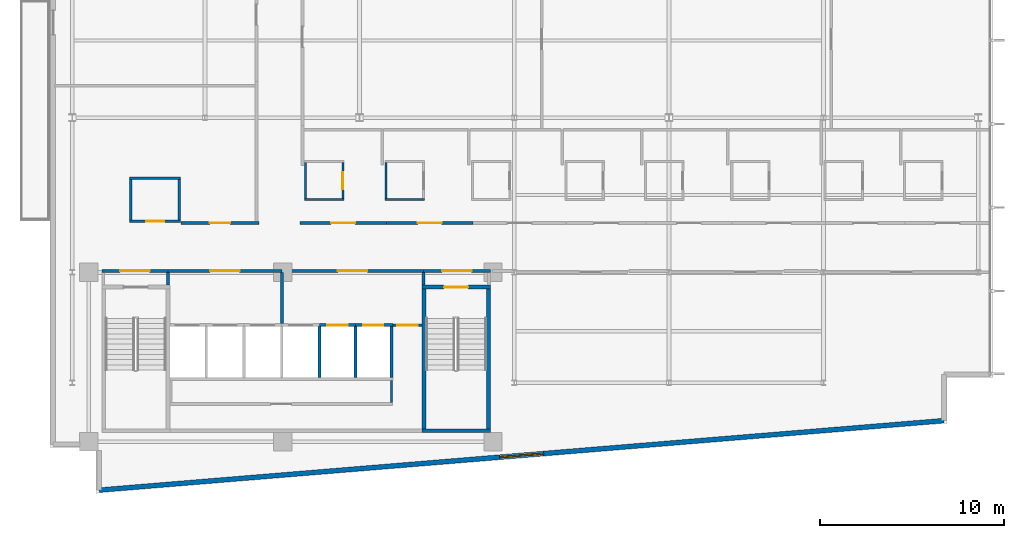
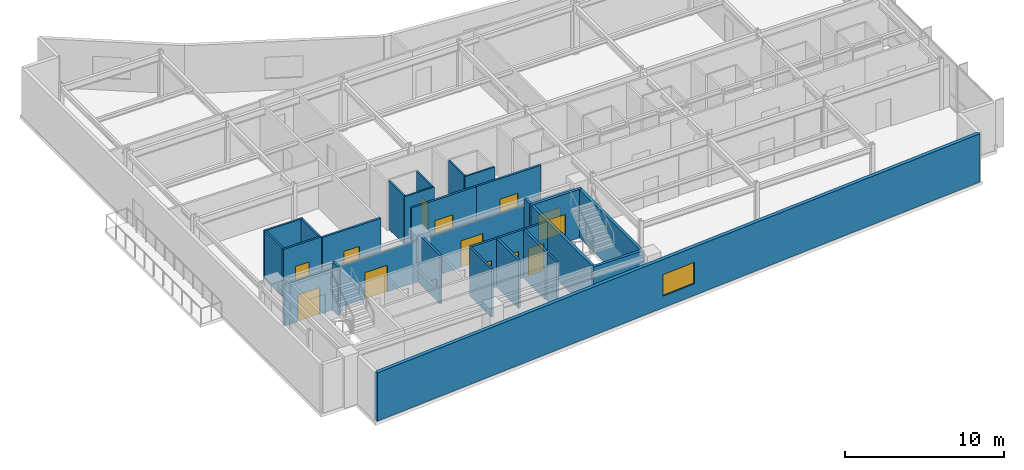
# One storey, part 11 of 17: 31 walls, 13 doors, 1 window, 14 openings.
"""IFC4 building model written with IfcOpenShell, lengths in metres."""

from ifc_helpers import new_model, si_unit, direction, frame, frame_2d, origin, place, context, subcontext, project, spatial, rectangle, extrude, material, layer, layer_set, type_object, element, fill, save


model = new_model("IFC4")

# Units and contexts
model_context = context("Model", 3, precision=1e-05, world=origin(), true_north=direction((0.0, 1.0)))
body_context = subcontext(model_context, "Body", "Model", "MODEL_VIEW")
ifc_project = project(units=[si_unit("LENGTHUNIT", "METRE"), si_unit("AREAUNIT", "SQUARE_METRE"), si_unit("VOLUMEUNIT", "CUBIC_METRE"), si_unit("PLANEANGLEUNIT", "RADIAN"), si_unit("MASSUNIT", "GRAM", prefix="KILO")], contexts=[model_context])

# Site, building, storey
site_placement = place(None, origin())
site = spatial("IfcSite", under=ifc_project, at=site_placement, CompositionType="ELEMENT")
building_placement = place(site_placement, origin())
building = spatial("IfcBuilding", under=site, at=building_placement, Name="Varnakote Quay Hospital", CompositionType="ELEMENT")
storey_placement = place(building_placement, frame((0.0, 0.0, 227.64990234375)))
storey = spatial("IfcBuildingStorey", under=building, at=storey_placement, Name="L56", CompositionType="ELEMENT", Elevation=227.64990234375)

# Wall, opening, door
ifc_material_1 = material(Name="Fire-rated acoustic gypsum stud wall", Category="gypsum")
ifc_layer_1 = layer(ifc_material_1, 0.159912109375)
ifc_layer_set_1 = layer_set([ifc_layer_1], Name="Fire-rated acoustic gypsum stud wall")
wall_type_1 = type_object("IfcWallType", Name="WL-COMP-160", PredefinedType="PARTITIONING", material=ifc_layer_set_1)
wall_1_placement = place(storey_placement, frame((2.800048828125, 12.080078125, 0.0), z_axis=(0.0, 0.0, 1.0), x_axis=(1.0, 0.0, 0.0)))
wall_1 = element("IfcWall", 1, at=wall_1_placement, inside=storey, type_object=wall_type_1, Name="L56 West Stair Vestibule Smoke Wall", PredefinedType="PARTITIONING", context=body_context, shape_type="SweptSolid", body=[
    extrude(rectangle(XDim=3.599853515625, YDim=0.159912109375, at=frame_2d((1.7998046875, 0.0))), origin(), (0.0, 0.0, 1.0), 3.152099609375),
])
opening_1_placement = place(wall_1_placement, frame((1.0, 0.0, 0.0)))
opening_1 = element("IfcOpeningElement", 2, at=opening_1_placement, cuts=wall_1, Name="Opening D-ST1L-L56", PredefinedType="OPENING", context=body_context, shape_type="SweptSolid", body=[
    extrude(rectangle(XDim=1.60009765625, YDim=2.050048828125, at=frame_2d((0.800048828125, 1.02490234375))), frame((0.0, 0.08984375, 0.0), z_axis=(0.0, -1.0, 0.0), x_axis=(1.0, 0.0, 0.0)), (0.0, 0.0, 1.0), 0.179931640625),
])
ifc_material_2 = material(Name="Fire-rated double smoke lobby door")
door_type_1 = type_object("IfcDoorType", Name="DR-LOBBY-FD60S-1600x2150", OperationType="NOTDEFINED", PredefinedType="DOOR", material=ifc_material_2)
door_1_placement = place(opening_1_placement, origin())
door_1 = element("IfcDoor", 3, at=door_1_placement, inside=storey, type_object=door_type_1, Name="L56 West Stair Vestibule Smoke Door", OperationType="DOUBLE_DOOR_SINGLE_SWING", OverallHeight=2.050048828125, OverallWidth=1.60009765625, PredefinedType="DOOR", context=body_context, shape_type="SweptSolid", body=[
    extrude(rectangle(XDim=1.60009765625, YDim=2.050048828125, at=frame_2d((0.800048828125, 1.02490234375))), frame((0.0, 0.02490234375, 0.0), z_axis=(0.0, -1.0, 0.0), x_axis=(1.0, 0.0, 0.0)), (0.0, 0.0, 1.0), 0.050048828125),
])
fill(opening_1, door_1)

# Wall
wall_2_placement = place(storey_placement, frame((6.39990234375, 11.300048828125, 0.0), z_axis=(0.0, 0.0, 1.0), x_axis=(0.0, 1.0, 0.0)))
element("IfcWall", 4, at=wall_2_placement, inside=storey, type_object=wall_type_1, Name="L56 Firefighting Lobby West Wall", PredefinedType="PARTITIONING", context=body_context, shape_type="SweptSolid", body=[
    extrude(rectangle(XDim=0.699951171875, YDim=0.159912109375, at=frame_2d((0.35009765625, 0.0))), origin(), (0.0, 0.0, 1.0), 3.710205078125),
])

# Wall, opening, door
wall_3_placement = place(storey_placement, frame((6.39990234375, 12.080078125, 0.0), z_axis=(0.0, 0.0, 1.0), x_axis=(1.0, 0.0, 0.0)))
wall_3 = element("IfcWall", 5, at=wall_3_placement, inside=storey, type_object=wall_type_1, Name="L56 Firefighting Lift Lobby Compartment Wall", PredefinedType="PARTITIONING", context=body_context, shape_type="SweptSolid", body=[
    extrude(rectangle(XDim=6.18017578125, YDim=0.159912109375, at=frame_2d((3.090087890625, 0.0))), origin(), (0.0, 0.0, 1.0), 3.152099609375),
])
opening_2_placement = place(wall_3_placement, frame((2.2900390625, 0.0, 0.0)))
opening_2 = element("IfcOpeningElement", 6, at=opening_2_placement, cuts=wall_3, Name="Opening D-FFL-L56", PredefinedType="OPENING", context=body_context, shape_type="SweptSolid", body=[
    extrude(rectangle(XDim=1.60009765625, YDim=2.050048828125, at=frame_2d((0.800048828125, 1.02490234375))), frame((0.0, 0.08984375, 0.0), z_axis=(0.0, -1.0, 0.0), x_axis=(1.0, 0.0, 0.0)), (0.0, 0.0, 1.0), 0.179931640625),
])
door_2_placement = place(opening_2_placement, origin())
door_2 = element("IfcDoor", 7, at=door_2_placement, inside=storey, type_object=door_type_1, Name="L56 Firefighting Smoke Vestibule Door", OperationType="DOUBLE_DOOR_SINGLE_SWING", OverallHeight=2.050048828125, OverallWidth=1.60009765625, PredefinedType="DOOR", context=body_context, shape_type="SweptSolid", body=[
    extrude(rectangle(XDim=1.60009765625, YDim=2.050048828125, at=frame_2d((0.800048828125, 1.02490234375))), frame((0.0, 0.02490234375, 0.0), z_axis=(0.0, -1.0, 0.0), x_axis=(1.0, 0.0, 0.0)), (0.0, 0.0, 1.0), 0.050048828125),
])
fill(opening_2, door_2)

# Wall
wall_4_placement = place(storey_placement, frame((12.580078125, 9.2099609375, 0.0), z_axis=(0.0, 0.0, 1.0), x_axis=(0.0, 1.0, 0.0)))
element("IfcWall", 8, at=wall_4_placement, inside=storey, type_object=wall_type_1, Name="L56 Firefighting to Service Lobby Wall", PredefinedType="PARTITIONING", context=body_context, shape_type="SweptSolid", body=[
    extrude(rectangle(XDim=2.7900390625, YDim=0.159912109375, at=frame_2d((1.39501953125, 0.0))), origin(), (0.0, 0.0, 1.0), 3.710205078125),
])

# Wall, opening, door
wall_5_placement = place(storey_placement, frame((12.580078125, 12.080078125, 0.0), z_axis=(0.0, 0.0, 1.0), x_axis=(1.0, 0.0, 0.0)))
wall_5 = element("IfcWall", 9, at=wall_5_placement, inside=storey, type_object=wall_type_1, Name="L56 Clinical Bed Lift Lobby Wall", PredefinedType="PARTITIONING", context=body_context, shape_type="SweptSolid", body=[
    extrude(rectangle(XDim=7.699951171875, YDim=0.159912109375, at=frame_2d((3.85009765625, 0.0))), origin(), (0.0, 0.0, 1.0), 3.152099609375),
])
opening_3_placement = place(wall_5_placement, frame((3.050048828125, 0.0, 0.0)))
opening_3 = element("IfcOpeningElement", 10, at=opening_3_placement, cuts=wall_5, Name="Opening D-SVL-L56", PredefinedType="OPENING", context=body_context, shape_type="SweptSolid", body=[
    extrude(rectangle(XDim=1.60009765625, YDim=2.050048828125, at=frame_2d((0.800048828125, 1.02490234375))), frame((0.0, 0.08984375, 0.0), z_axis=(0.0, -1.0, 0.0), x_axis=(1.0, 0.0, 0.0)), (0.0, 0.0, 1.0), 0.179931640625),
])
door_3_placement = place(opening_3_placement, origin())
door_3 = element("IfcDoor", 11, at=door_3_placement, inside=storey, type_object=door_type_1, Name="L56 Clinical Core Smoke Vestibule Door", OperationType="DOUBLE_DOOR_SINGLE_SWING", OverallHeight=2.050048828125, OverallWidth=1.60009765625, PredefinedType="DOOR", context=body_context, shape_type="SweptSolid", body=[
    extrude(rectangle(XDim=1.60009765625, YDim=2.050048828125, at=frame_2d((0.800048828125, 1.02490234375))), frame((0.0, 0.02490234375, 0.0), z_axis=(0.0, -1.0, 0.0), x_axis=(1.0, 0.0, 0.0)), (0.0, 0.0, 1.0), 0.050048828125),
])
fill(opening_3, door_3)

# Wall
wall_6_placement = place(storey_placement, frame((20.280029296875, 11.300048828125, 0.0), z_axis=(0.0, 0.0, 1.0), x_axis=(0.0, 1.0, 0.0)))
element("IfcWall", 12, at=wall_6_placement, inside=storey, type_object=wall_type_1, Name="L56 East Stair Vestibule Divider Wall", PredefinedType="PARTITIONING", context=body_context, shape_type="SweptSolid", body=[
    extrude(rectangle(XDim=0.699951171875, YDim=0.159912109375, at=frame_2d((0.35009765625, 0.0))), origin(), (0.0, 0.0, 1.0), 3.710205078125),
])

# Wall, opening, door
wall_7_placement = place(storey_placement, frame((20.280029296875, 12.080078125, 0.0), z_axis=(0.0, 0.0, 1.0), x_axis=(1.0, 0.0, 0.0)))
wall_7 = element("IfcWall", 13, at=wall_7_placement, inside=storey, type_object=wall_type_1, Name="L56 East Stair Vestibule Smoke Wall", PredefinedType="PARTITIONING", context=body_context, shape_type="SweptSolid", body=[
    extrude(rectangle(XDim=3.619873046875, YDim=0.159912109375, at=frame_2d((1.81005859375, 0.0))), origin(), (0.0, 0.0, 1.0), 3.152099609375),
])
opening_4_placement = place(wall_7_placement, frame((1.010009765625, 0.0, 0.0)))
opening_4 = element("IfcOpeningElement", 14, at=opening_4_placement, cuts=wall_7, Name="Opening D-ST2L-L56", PredefinedType="OPENING", context=body_context, shape_type="SweptSolid", body=[
    extrude(rectangle(XDim=1.60009765625, YDim=2.050048828125, at=frame_2d((0.800048828125, 1.02490234375))), frame((0.0, 0.08984375, 0.0), z_axis=(0.0, -1.0, 0.0), x_axis=(1.0, 0.0, 0.0)), (0.0, 0.0, 1.0), 0.179931640625),
])
door_4_placement = place(opening_4_placement, origin())
door_4 = element("IfcDoor", 15, at=door_4_placement, inside=storey, type_object=door_type_1, Name="L56 East Stair Vestibule Smoke Door", OperationType="DOUBLE_DOOR_SINGLE_SWING", OverallHeight=2.050048828125, OverallWidth=1.60009765625, PredefinedType="DOOR", context=body_context, shape_type="SweptSolid", body=[
    extrude(rectangle(XDim=1.60009765625, YDim=2.050048828125, at=frame_2d((0.800048828125, 1.02490234375))), frame((0.0, 0.02490234375, 0.0), z_axis=(0.0, -1.0, 0.0), x_axis=(1.0, 0.0, 0.0)), (0.0, 0.0, 1.0), 0.050048828125),
])
fill(opening_4, door_4)

# Walls
ifc_material_3 = material(Name="Moisture-resistant bathroom partition", Category="gypsum")
ifc_layer_2 = layer(ifc_material_3, 0.114990234375)
ifc_layer_set_2 = layer_set([ifc_layer_2], Name="Moisture-resistant bathroom partition")
wall_type_2 = type_object("IfcWallType", Name="WL-ENS-115", PredefinedType="PARTITIONING", material=ifc_layer_set_2)
wall_8_placement = place(storey_placement, frame((13.804931640625, 15.952392578125, 0.0), z_axis=(0.0, 0.0, 1.0), x_axis=(1.0, 0.0, 0.0)))
element("IfcWall", 16, at=wall_8_placement, inside=storey, type_object=wall_type_2, Name="L56 Inpatient En-Suite Bathroom 01 S Wall", PredefinedType="PARTITIONING", context=body_context, shape_type="SweptSolid", body=[
    extrude(rectangle(XDim=2.150146484375, YDim=0.114990234375, at=frame_2d((1.0751953125, 0.0))), origin(), (0.0, 0.0, 1.0), 3.710205078125),
])
wall_9_placement = place(storey_placement, frame((13.862548828125, 16.010009765625, 0.0), z_axis=(0.0, 0.0, 1.0), x_axis=(0.0, 1.0, 0.0)))
element("IfcWall", 17, at=wall_9_placement, inside=storey, type_object=wall_type_2, Name="L56 Inpatient En-Suite Bathroom 01 W Wall", PredefinedType="PARTITIONING", context=body_context, shape_type="SweptSolid", body=[
    extrude(rectangle(XDim=1.949951171875, YDim=0.114990234375, at=frame_2d((0.97509765625, 0.0))), origin(), (0.0, 0.0, 1.0), 3.710205078125),
])

# Wall, opening, door
wall_10_placement = place(storey_placement, frame((15.8974609375, 16.010009765625, 0.0), z_axis=(0.0, 0.0, 1.0), x_axis=(0.0, 1.0, 0.0)))
wall_10 = element("IfcWall", 18, at=wall_10_placement, inside=storey, type_object=wall_type_2, Name="L56 Inpatient En-Suite Bathroom 01 E Wall", PredefinedType="PARTITIONING", context=body_context, shape_type="SweptSolid", body=[
    extrude(rectangle(XDim=1.949951171875, YDim=0.114990234375, at=frame_2d((0.97509765625, 0.0))), origin(), (0.0, 0.0, 1.0), 3.710205078125),
])
opening_5_placement = place(wall_10_placement, frame((0.514892578125, 0.0, 0.0)))
opening_5 = element("IfcOpeningElement", 19, at=opening_5_placement, cuts=wall_10, Name="Opening D-L56-ENS01", PredefinedType="OPENING", context=body_context, shape_type="SweptSolid", body=[
    extrude(rectangle(XDim=0.919921875, YDim=2.10009765625, at=frame_2d((0.4599609375, 1.050048828125))), frame((0.0, 0.0673828125, 0.0), z_axis=(0.0, -1.0, 0.0), x_axis=(1.0, 0.0, 0.0)), (0.0, 0.0, 1.0), 0.135009765625),
])
ifc_material_4 = material(Name="Moisture-sealed en-suite bathroom door")
door_type_2 = type_object("IfcDoorType", Name="DR-ENS-920x2100", OperationType="NOTDEFINED", PredefinedType="DOOR", material=ifc_material_4)
door_5_placement = place(opening_5_placement, origin())
door_5 = element("IfcDoor", 20, at=door_5_placement, inside=storey, type_object=door_type_2, Name="L56 Inpatient En-Suite Bathroom 01 Door", OperationType="SINGLE_SWING_LEFT", OverallHeight=2.10009765625, OverallWidth=0.919921875, PredefinedType="DOOR", context=body_context, shape_type="SweptSolid", body=[
    extrude(rectangle(XDim=0.919921875, YDim=2.10009765625, at=frame_2d((0.4599609375, 1.050048828125))), frame((0.0, 0.02490234375, 0.0), z_axis=(0.0, -1.0, 0.0), x_axis=(1.0, 0.0, 0.0)), (0.0, 0.0, 1.0), 0.050048828125),
])
fill(opening_5, door_5)

# Walls
wall_11_placement = place(storey_placement, frame((18.18505859375, 15.952392578125, 0.0), z_axis=(0.0, 0.0, 1.0), x_axis=(1.0, 0.0, 0.0)))
element("IfcWall", 21, at=wall_11_placement, inside=storey, type_object=wall_type_2, Name="L56 Inpatient En-Suite Bathroom 02 S Wall", PredefinedType="PARTITIONING", context=body_context, shape_type="SweptSolid", body=[
    extrude(rectangle(XDim=2.14990234375, YDim=0.114990234375, at=frame_2d((1.074951171875, 0.0))), origin(), (0.0, 0.0, 1.0), 3.710205078125),
])
wall_12_placement = place(storey_placement, frame((18.242431640625, 16.010009765625, 0.0), z_axis=(0.0, 0.0, 1.0), x_axis=(0.0, 1.0, 0.0)))
element("IfcWall", 22, at=wall_12_placement, inside=storey, type_object=wall_type_2, Name="L56 Inpatient En-Suite Bathroom 02 W Wall", PredefinedType="PARTITIONING", context=body_context, shape_type="SweptSolid", body=[
    extrude(rectangle(XDim=1.949951171875, YDim=0.114990234375, at=frame_2d((0.97509765625, 0.0))), origin(), (0.0, 0.0, 1.0), 3.710205078125),
])

# Wall, opening, window
ifc_material_5 = material(Name="Precast concrete N50 (f'c 50 MPa)", Category="concrete")
ifc_layer_3 = layer(ifc_material_5, 0.260009765625)
ifc_layer_set_3 = layer_set([ifc_layer_3], Name="Precast concrete N50 (f'c 50 MPa)")
wall_type_3 = type_object("IfcWallType", Name="WL-EXT-BRICK-260", PredefinedType="STANDARD", material=ifc_layer_set_3)
wall_13_placement = place(storey_placement, frame((2.659912109375, 0.173583984375, 0.0), z_axis=(0.0, 0.0, 1.0), x_axis=(0.996634028439, 0.081979347142, 0.0)))
wall_13 = element("IfcWall", 23, at=wall_13_placement, inside=storey, type_object=wall_type_3, Name="L56 Brick-Faced Precast Exterior Wall", PredefinedType="STANDARD", context=body_context, shape_type="SweptSolid", body=[
    extrude(rectangle(XDim=46.03515625, YDim=0.260009765625, at=frame_2d((23.017578125, 0.0))), origin(), (0.0, 0.0, 1.0), 3.710205078125),
])
opening_6_placement = place(wall_13_placement, frame((21.8173828125, 0.0, 0.89990234375)))
opening_6 = element("IfcOpeningElement", 24, at=opening_6_placement, cuts=wall_13, Name="Opening WN-0230", PredefinedType="OPENING", context=body_context, shape_type="SweptSolid", body=[
    extrude(rectangle(XDim=2.39990234375, YDim=1.64990234375, at=frame_2d((1.199951171875, 0.824951171875))), frame((0.0, 0.139892578125, 0.0), z_axis=(0.0, -1.0, 0.0), x_axis=(1.0, 0.0, 0.0)), (0.0, 0.0, 1.0), 0.280029296875),
])
ifc_material_6 = material(Name="Double-glazed low-E solar glass", Category="glass")
window_type = type_object("IfcWindowType", Name="WIN-CLIN-2400x1650", PartitioningType="SINGLE_PANEL", PredefinedType="WINDOW", material=ifc_material_6)
window_placement = place(opening_6_placement, origin())
window = element("IfcWindow", 25, at=window_placement, inside=storey, type_object=window_type, Name="L56 Solar-Control Clinical Window", OverallHeight=1.64990234375, OverallWidth=2.39990234375, PartitioningType="SINGLE_PANEL", PredefinedType="WINDOW", context=body_context, shape_type="SweptSolid", body=[
    extrude(rectangle(XDim=2.39990234375, YDim=1.64990234375, at=frame_2d((1.199951171875, 0.824951171875))), frame((0.0, 0.030029296875, 0.0), z_axis=(0.0, -1.0, 0.0), x_axis=(1.0, 0.0, 0.0)), (0.0, 0.0, 1.0), 0.06005859375),
])
fill(opening_6, window)

# Walls
ifc_material_7 = material(Name="Concrete N50 (f'c 50 MPa)", Category="concrete")
ifc_layer_4 = layer(ifc_material_7, 0.14990234375)
ifc_layer_set_4 = layer_set([ifc_layer_4], Name="Concrete N50 (f'c 50 MPa)")
wall_type_4 = type_object("IfcWallType", Name="WL-SHAFT-N50-150", PredefinedType="SHEAR", material=ifc_layer_set_4)
for number, where, z_axis, x_axis, name in (
    (26, (14.625, 6.300048828125, 0.0), (0.0, 0.0, 1.0), (0.0, 1.0, 0.0), "L56 LF-SV2 Hoistway Divider Wall"),
    (27, (16.574951171875, 6.300048828125, 0.0), (0.0, 0.0, 1.0), (0.0, 1.0, 0.0), "L56 LF-PH1 Hoistway Divider Wall"),
):
    element("IfcWall", number, at=place(storey_placement, frame(where, z_axis=z_axis, x_axis=x_axis)), inside=storey, type_object=wall_type_4, Name=name, PredefinedType="SHEAR", context=body_context, shape_type="SweptSolid", body=[
        extrude(rectangle(XDim=2.75, YDim=0.14990234375, at=frame_2d((1.375, 0.0))), origin(), (0.0, 0.0, 1.0), 3.710205078125),
    ])
ifc_material_8 = material(Name="Concrete N50 (f'c 50 MPa)", Category="concrete")
ifc_layer_5 = layer(ifc_material_8, 0.159912109375)
ifc_layer_set_5 = layer_set([ifc_layer_5], Name="Concrete N50 (f'c 50 MPa)")
wall_type_5 = type_object("IfcWallType", Name="WL-SHAFT-N50-160", PredefinedType="SHEAR", material=ifc_layer_set_5)
wall_14_placement = place(storey_placement, frame((18.530029296875, 6.300048828125, 0.0), z_axis=(0.0, 0.0, 1.0), x_axis=(0.0, 1.0, 0.0)))
element("IfcWall", 28, at=wall_14_placement, inside=storey, type_object=wall_type_5, Name="L56 REAR Lift Bank East Shear Wall", PredefinedType="SHEAR", context=body_context, shape_type="SweptSolid", body=[
    extrude(rectangle(XDim=2.75, YDim=0.159912109375, at=frame_2d((1.375, 0.0))), origin(), (0.0, 0.0, 1.0), 3.710205078125),
])

# Wall, opening, door
wall_15_placement = place(storey_placement, frame((14.625, 9.1298828125, 0.0), z_axis=(0.0, 0.0, 1.0), x_axis=(1.0, 0.0, 0.0)))
wall_15 = element("IfcWall", 29, at=wall_15_placement, inside=storey, type_object=wall_type_5, Name="L56 LF-PH1 Hoistway Front Wall", PredefinedType="SHEAR", context=body_context, shape_type="SweptSolid", body=[
    extrude(rectangle(XDim=1.949951171875, YDim=0.159912109375, at=frame_2d((0.97509765625, 0.0))), origin(), (0.0, 0.0, 1.0), 3.710205078125),
])
opening_7_placement = place(wall_15_placement, frame((0.425048828125, 0.0, 0.0)))
opening_7 = element("IfcOpeningElement", 30, at=opening_7_placement, cuts=wall_15, Name="Opening LD-PH1-L56", PredefinedType="OPENING", context=body_context, shape_type="SweptSolid", body=[
    extrude(rectangle(XDim=1.10009765625, YDim=2.14990234375, at=frame_2d((0.550048828125, 1.074951171875))), frame((0.0, 0.08984375, 0.0), z_axis=(0.0, -1.0, 0.0), x_axis=(1.0, 0.0, 0.0)), (0.0, 0.0, 1.0), 0.179931640625),
])
ifc_material_9 = material(Name="Brushed bronze lift landing sliding door")
door_type_3 = type_object("IfcDoorType", Name="DR-LIFT-LD-1100x2150", OperationType="NOTDEFINED", PredefinedType="DOOR", material=ifc_material_9)
door_6_placement = place(opening_7_placement, origin())
door_6 = element("IfcDoor", 31, at=door_6_placement, inside=storey, type_object=door_type_3, Name="L56 LF-PH1 Lift Landing Sliding Door", OperationType="SLIDING_TO_LEFT", OverallHeight=2.14990234375, OverallWidth=1.10009765625, PredefinedType="DOOR", context=body_context, shape_type="SweptSolid", body=[
    extrude(rectangle(XDim=1.10009765625, YDim=2.14990234375, at=frame_2d((0.550048828125, 1.074951171875))), frame((0.0, 0.02490234375, 0.0), z_axis=(0.0, -1.0, 0.0), x_axis=(1.0, 0.0, 0.0)), (0.0, 0.0, 1.0), 0.050048828125),
])
fill(opening_7, door_6)

wall_16_placement = place(storey_placement, frame((16.574951171875, 9.1298828125, 0.0), z_axis=(0.0, 0.0, 1.0), x_axis=(1.0, 0.0, 0.0)))
wall_16 = element("IfcWall", 32, at=wall_16_placement, inside=storey, type_object=wall_type_5, Name="L56 LF-PH2 Hoistway Front Wall", PredefinedType="SHEAR", context=body_context, shape_type="SweptSolid", body=[
    extrude(rectangle(XDim=2.03515625, YDim=0.159912109375, at=frame_2d((1.017578125, 0.0))), origin(), (0.0, 0.0, 1.0), 3.710205078125),
])
opening_8_placement = place(wall_16_placement, frame((0.425048828125, 0.0, 0.0)))
opening_8 = element("IfcOpeningElement", 33, at=opening_8_placement, cuts=wall_16, Name="Opening LD-PH2-L56", PredefinedType="OPENING", context=body_context, shape_type="SweptSolid", body=[
    extrude(rectangle(XDim=1.10009765625, YDim=2.14990234375, at=frame_2d((0.550048828125, 1.074951171875))), frame((0.0, 0.08984375, 0.0), z_axis=(0.0, -1.0, 0.0), x_axis=(1.0, 0.0, 0.0)), (0.0, 0.0, 1.0), 0.179931640625),
])
door_7_placement = place(opening_8_placement, origin())
door_7 = element("IfcDoor", 34, at=door_7_placement, inside=storey, type_object=door_type_3, Name="L56 LF-PH2 Lift Landing Sliding Door", OperationType="SLIDING_TO_LEFT", OverallHeight=2.14990234375, OverallWidth=1.10009765625, PredefinedType="DOOR", context=body_context, shape_type="SweptSolid", body=[
    extrude(rectangle(XDim=1.10009765625, YDim=2.14990234375, at=frame_2d((0.550048828125, 1.074951171875))), frame((0.0, 0.02490234375, 0.0), z_axis=(0.0, -1.0, 0.0), x_axis=(1.0, 0.0, 0.0)), (0.0, 0.0, 1.0), 0.050048828125),
])
fill(opening_8, door_7)

# Walls
ifc_material_10 = material(Name="Concrete N50 (f'c 50 MPa)", Category="concrete")
ifc_layer_6 = layer(ifc_material_10, 0.199951171875)
ifc_layer_set_6 = layer_set([ifc_layer_6], Name="Concrete N50 (f'c 50 MPa)")
wall_type_6 = type_object("IfcWallType", Name="WL-SHAFT-N50-200", PredefinedType="SHEAR", material=ifc_layer_set_6)
wall_17_placement = place(storey_placement, frame((20.199951171875, 3.39990234375, 0.0), z_axis=(0.0, 0.0, 1.0), x_axis=(1.0, 0.0, 0.0)))
element("IfcWall", 35, at=wall_17_placement, inside=storey, type_object=wall_type_6, Name="L56 Stair ST2 South Shaft Wall", PredefinedType="SHEAR", context=body_context, shape_type="SweptSolid", body=[
    extrude(rectangle(XDim=3.699951171875, YDim=0.199951171875, at=frame_2d((1.85009765625, 0.0))), origin(), (0.0, 0.0, 1.0), 3.710205078125),
])
for number, where, z_axis, x_axis, name in (
    (36, (20.300048828125, 3.5, 0.0), (0.0, 0.0, 1.0), (0.0, 1.0, 0.0), "L56 Stair ST2 West Shaft Wall"),
    (37, (23.800048828125, 3.5, 0.0), (0.0, 0.0, 1.0), (0.0, 1.0, 0.0), "L56 Stair ST2 East Shaft Wall"),
):
    element("IfcWall", number, at=place(storey_placement, frame(where, z_axis=z_axis, x_axis=x_axis)), inside=storey, type_object=wall_type_6, Name=name, PredefinedType="SHEAR", context=body_context, shape_type="SweptSolid", body=[
        extrude(rectangle(XDim=7.60009765625, YDim=0.199951171875, at=frame_2d((3.800048828125, 0.0))), origin(), (0.0, 0.0, 1.0), 3.710205078125),
    ])

# Wall, opening, door
wall_18_placement = place(storey_placement, frame((20.199951171875, 11.199951171875, 0.0), z_axis=(0.0, 0.0, 1.0), x_axis=(1.0, 0.0, 0.0)))
wall_18 = element("IfcWall", 38, at=wall_18_placement, inside=storey, type_object=wall_type_6, Name="L56 Stair ST2 Exit Wall", PredefinedType="SHEAR", context=body_context, shape_type="SweptSolid", body=[
    extrude(rectangle(XDim=3.699951171875, YDim=0.199951171875, at=frame_2d((1.85009765625, 0.0))), origin(), (0.0, 0.0, 1.0), 3.710205078125),
])
opening_9_placement = place(wall_18_placement, frame((1.199951171875, 0.0, 0.0)))
opening_9 = element("IfcOpeningElement", 39, at=opening_9_placement, cuts=wall_18, Name="Opening D-ST2-L56", PredefinedType="OPENING", context=body_context, shape_type="SweptSolid", body=[
    extrude(rectangle(XDim=1.300048828125, YDim=2.14990234375, at=frame_2d((0.64990234375, 1.074951171875))), frame((0.0, 0.10986328125, 0.0), z_axis=(0.0, -1.0, 0.0), x_axis=(1.0, 0.0, 0.0)), (0.0, 0.0, 1.0), 0.219970703125),
])
ifc_material_11 = material(Name="Fire-rated ceramic-glazed timber exit door", Category="wood")
door_type_4 = type_object("IfcDoorType", Name="DR-STAIR-FD60S-1300x2150", OperationType="NOTDEFINED", PredefinedType="DOOR", material=ifc_material_11)
door_8_placement = place(opening_9_placement, origin())
door_8 = element("IfcDoor", 40, at=door_8_placement, inside=storey, type_object=door_type_4, Name="L56 Stair ST2 Fire Exit Door", OperationType="SINGLE_SWING_LEFT", OverallHeight=2.14990234375, OverallWidth=1.300048828125, PredefinedType="DOOR", context=body_context, shape_type="SweptSolid", body=[
    extrude(rectangle(XDim=1.300048828125, YDim=2.14990234375, at=frame_2d((0.64990234375, 1.074951171875))), frame((0.0, 0.02490234375, 0.0), z_axis=(0.0, -1.0, 0.0), x_axis=(1.0, 0.0, 0.0)), (0.0, 0.0, 1.0), 0.050048828125),
])
fill(opening_9, door_8)

# Wall
ifc_material_12 = material(Name="Smoke-proof clinical partition", Category="gypsum")
ifc_layer_7 = layer(ifc_material_12, 0.1201171875)
ifc_layer_set_7 = layer_set([ifc_layer_7], Name="Smoke-proof clinical partition")
wall_type_7 = type_object("IfcWallType", Name="WL-SMOKE-120", PredefinedType="PARTITIONING", material=ifc_layer_set_7)
wall_19_placement = place(storey_placement, frame((18.5400390625, 4.919921875, 0.0), z_axis=(0.0, 0.0, 1.0), x_axis=(0.0, 1.0, 0.0)))
element("IfcWall", 41, at=wall_19_placement, inside=storey, type_object=wall_type_7, Name="L56 Core Service Strip East Wall", PredefinedType="PARTITIONING", context=body_context, shape_type="SweptSolid", body=[
    extrude(rectangle(XDim=1.219970703125, YDim=0.1201171875, at=frame_2d((0.60986328125, 0.0))), origin(), (0.0, 0.0, 1.0), 3.710205078125),
])

# Wall, opening, door
ifc_material_13 = material(Name="Fire-rated clinical gypsum partition", Category="gypsum")
ifc_layer_8 = layer(ifc_material_13, 0.139892578125)
ifc_layer_set_8 = layer_set([ifc_layer_8], Name="Fire-rated clinical gypsum partition")
wall_type_8 = type_object("IfcWallType", Name="WL-WARD-140", PredefinedType="PARTITIONING", material=ifc_layer_set_8)
wall_20_placement = place(storey_placement, frame((18.610107421875, 9.1298828125, 0.0), z_axis=(0.0, 0.0, 1.0), x_axis=(1.0, 0.0, 0.0)))
wall_20 = element("IfcWall", 42, at=wall_20_placement, inside=storey, type_object=wall_type_8, Name="L56 Core Service Corridor North Door Wall", PredefinedType="PARTITIONING", context=body_context, shape_type="SweptSolid", body=[
    extrude(rectangle(XDim=1.58984375, YDim=0.139892578125, at=frame_2d((0.794921875, 0.0))), origin(), (0.0, 0.0, 1.0), 3.710205078125),
])
opening_10_placement = place(wall_20_placement, frame((0.239990234375, 0.0, 0.0)))
opening_10 = element("IfcOpeningElement", 43, at=opening_10_placement, cuts=wall_20, Name="Opening D-CSRV-L56", PredefinedType="OPENING", context=body_context, shape_type="SweptSolid", body=[
    extrude(rectangle(XDim=1.10009765625, YDim=2.10009765625, at=frame_2d((0.550048828125, 1.050048828125))), frame((0.0, 0.079833984375, 0.0), z_axis=(0.0, -1.0, 0.0), x_axis=(1.0, 0.0, 0.0)), (0.0, 0.0, 1.0), 0.159912109375),
])
ifc_material_14 = material(Name="Acoustic timber clinical consult door", Category="wood")
door_type_5 = type_object("IfcDoorType", Name="DR-CLIN-FD30S-1100x2100", OperationType="NOTDEFINED", PredefinedType="DOOR", material=ifc_material_14)
door_9_placement = place(opening_10_placement, origin())
door_9 = element("IfcDoor", 44, at=door_9_placement, inside=storey, type_object=door_type_5, Name="L56 Core Service Corridor Door", OperationType="SINGLE_SWING_LEFT", OverallHeight=2.10009765625, OverallWidth=1.10009765625, PredefinedType="DOOR", context=body_context, shape_type="SweptSolid", body=[
    extrude(rectangle(XDim=1.10009765625, YDim=2.10009765625, at=frame_2d((0.550048828125, 1.050048828125))), frame((0.0, 0.02490234375, 0.0), z_axis=(0.0, -1.0, 0.0), x_axis=(1.0, 0.0, 0.0)), (0.0, 0.0, 1.0), 0.050048828125),
])
fill(opening_10, door_9)

wall_21_placement = place(storey_placement, frame((4.31005859375, 14.77001953125, 0.0), z_axis=(0.0, 0.0, 1.0), x_axis=(1.0, 0.0, 0.0)))
wall_21 = element("IfcWall", 45, at=wall_21_placement, inside=storey, type_object=wall_type_8, Name="L56 Floor Unisex Accessible WC S Wall", PredefinedType="PARTITIONING", context=body_context, shape_type="SweptSolid", body=[
    extrude(rectangle(XDim=2.780029296875, YDim=0.139892578125, at=frame_2d((1.39013671875, 0.0))), origin(), (0.0, 0.0, 1.0), 3.710205078125),
])
opening_11_placement = place(wall_21_placement, frame((0.89990234375, 0.0, 0.0)))
opening_11 = element("IfcOpeningElement", 46, at=opening_11_placement, cuts=wall_21, Name="Opening D-L56-EW01", PredefinedType="OPENING", context=body_context, shape_type="SweptSolid", body=[
    extrude(rectangle(XDim=0.97998046875, YDim=2.10009765625, at=frame_2d((0.489990234375, 1.050048828125))), frame((0.0, 0.079833984375, 0.0), z_axis=(0.0, -1.0, 0.0), x_axis=(1.0, 0.0, 0.0)), (0.0, 0.0, 1.0), 0.159912109375),
])
ifc_material_15 = material(Name="Accessible sanitary compartment door")
door_type_6 = type_object("IfcDoorType", Name="DR-WC-980x2100", OperationType="NOTDEFINED", PredefinedType="DOOR", material=ifc_material_15)
door_10_placement = place(opening_11_placement, origin())
door_10 = element("IfcDoor", 47, at=door_10_placement, inside=storey, type_object=door_type_6, Name="L56 Floor Unisex Accessible WC Door", OperationType="SINGLE_SWING_RIGHT", OverallHeight=2.10009765625, OverallWidth=0.97998046875, PredefinedType="DOOR", context=body_context, shape_type="SweptSolid", body=[
    extrude(rectangle(XDim=0.97998046875, YDim=2.10009765625, at=frame_2d((0.489990234375, 1.050048828125))), frame((0.0, 0.02490234375, 0.0), z_axis=(0.0, -1.0, 0.0), x_axis=(1.0, 0.0, 0.0)), (0.0, 0.0, 1.0), 0.050048828125),
])
fill(opening_11, door_10)

# Walls
wall_22_placement = place(storey_placement, frame((4.31005859375, 17.110107421875, 0.0), z_axis=(0.0, 0.0, 1.0), x_axis=(1.0, 0.0, 0.0)))
element("IfcWall", 48, at=wall_22_placement, inside=storey, type_object=wall_type_8, Name="L56 Floor Unisex Accessible WC N Wall", PredefinedType="PARTITIONING", context=body_context, shape_type="SweptSolid", body=[
    extrude(rectangle(XDim=2.780029296875, YDim=0.139892578125, at=frame_2d((1.39013671875, 0.0))), origin(), (0.0, 0.0, 1.0), 3.710205078125),
])
for number, where, z_axis, x_axis, name in (
    (49, (4.3798828125, 14.840087890625, 0.0), (0.0, 0.0, 1.0), (0.0, 1.0, 0.0), "L56 Floor Unisex Accessible WC W Wall"),
    (50, (7.02001953125, 14.840087890625, 0.0), (0.0, 0.0, 1.0), (0.0, 1.0, 0.0), "L56 Floor Unisex Accessible WC E Wall"),
):
    element("IfcWall", number, at=place(storey_placement, frame(where, z_axis=z_axis, x_axis=x_axis)), inside=storey, type_object=wall_type_8, Name=name, PredefinedType="PARTITIONING", context=body_context, shape_type="SweptSolid", body=[
        extrude(rectangle(XDim=2.199951171875, YDim=0.139892578125, at=frame_2d((1.10009765625, 0.0))), origin(), (0.0, 0.0, 1.0), 3.710205078125),
    ])

# Wall, opening, door
ifc_material_16 = material(Name="Fire-rated clinical gypsum partition", Category="gypsum")
ifc_layer_9 = layer(ifc_material_16, 0.14990234375)
ifc_layer_set_9 = layer_set([ifc_layer_9], Name="Fire-rated clinical gypsum partition")
wall_type_9 = type_object("IfcWallType", Name="WL-WARD-150", PredefinedType="PARTITIONING", material=ifc_layer_set_9)
wall_23_placement = place(storey_placement, frame((11.345947265625, 14.679931640625, 0.0), z_axis=(0.0, 0.0, 1.0), x_axis=(-1.0, 0.0, 0.0)))
wall_23 = element("IfcWall", 51, at=wall_23_placement, inside=storey, type_object=wall_type_9, Name="L56 Clinical Interior Partition", PredefinedType="PARTITIONING", context=body_context, shape_type="SweptSolid", body=[
    extrude(rectangle(XDim=4.25390625, YDim=0.14990234375, at=frame_2d((2.126953125, 0.0))), origin(), (0.0, 0.0, 1.0), 3.710205078125),
])
opening_12_placement = place(wall_23_placement, frame((1.576904296875, 0.0, 0.0)))
opening_12 = element("IfcOpeningElement", 52, at=opening_12_placement, cuts=wall_23, Name="Opening D-L56-DLNG", PredefinedType="OPENING", context=body_context, shape_type="SweptSolid", body=[
    extrude(rectangle(XDim=1.10009765625, YDim=2.10009765625, at=frame_2d((0.550048828125, 1.050048828125))), frame((0.0, 0.0849609375, 0.0), z_axis=(0.0, -1.0, 0.0), x_axis=(1.0, 0.0, 0.0)), (0.0, 0.0, 1.0), 0.169921875),
])
door_11_placement = place(opening_12_placement, origin())
door_11 = element("IfcDoor", 53, at=door_11_placement, inside=storey, type_object=door_type_5, Name="L56 Waterfront Patient & Family Dayroom Door", OperationType="SINGLE_SWING_RIGHT", OverallHeight=2.10009765625, OverallWidth=1.10009765625, PredefinedType="DOOR", context=body_context, shape_type="SweptSolid", body=[
    extrude(rectangle(XDim=1.10009765625, YDim=2.10009765625, at=frame_2d((0.550048828125, 1.050048828125))), frame((0.0, 0.02490234375, 0.0), z_axis=(0.0, -1.0, 0.0), x_axis=(1.0, 0.0, 0.0)), (0.0, 0.0, 1.0), 0.050048828125),
])
fill(opening_12, door_11)

wall_24_placement = place(storey_placement, frame((18.26611328125, 14.679931640625, 0.0), z_axis=(0.0, 0.0, 1.0), x_axis=(-1.0, 0.0, 0.0)))
wall_24 = element("IfcWall", 54, at=wall_24_placement, inside=storey, type_object=wall_type_9, Name="L56 Clinical Interior Partition", PredefinedType="PARTITIONING", context=body_context, shape_type="SweptSolid", body=[
    extrude(rectangle(XDim=4.712158203125, YDim=0.14990234375, at=frame_2d((2.35595703125, 0.0))), origin(), (0.0, 0.0, 1.0), 3.710205078125),
])
opening_13_placement = place(wall_24_placement, frame((1.7060546875, 0.0, 0.0)))
opening_13 = element("IfcOpeningElement", 55, at=opening_13_placement, cuts=wall_24, Name="Opening D-L56-BR01", PredefinedType="OPENING", context=body_context, shape_type="SweptSolid", body=[
    extrude(rectangle(XDim=1.300048828125, YDim=2.14990234375, at=frame_2d((0.64990234375, 1.074951171875))), frame((0.0, 0.0849609375, 0.0), z_axis=(0.0, -1.0, 0.0), x_axis=(1.0, 0.0, 0.0)), (0.0, 0.0, 1.0), 0.169921875),
])
ifc_material_17 = material(Name="Solid-core timber clinical bed door", Category="wood")
door_type_7 = type_object("IfcDoorType", Name="DR-WARD-FD30S-1300x2150", OperationType="NOTDEFINED", PredefinedType="DOOR", material=ifc_material_17)
door_12_placement = place(opening_13_placement, origin())
door_12 = element("IfcDoor", 56, at=door_12_placement, inside=storey, type_object=door_type_7, Name="L56 Resident Care Bedroom 01 Door", OperationType="SINGLE_SWING_LEFT", OverallHeight=2.14990234375, OverallWidth=1.300048828125, PredefinedType="DOOR", context=body_context, shape_type="SweptSolid", body=[
    extrude(rectangle(XDim=1.300048828125, YDim=2.14990234375, at=frame_2d((0.64990234375, 1.074951171875))), frame((0.0, 0.02490234375, 0.0), z_axis=(0.0, -1.0, 0.0), x_axis=(1.0, 0.0, 0.0)), (0.0, 0.0, 1.0), 0.050048828125),
])
fill(opening_13, door_12)

wall_25_placement = place(storey_placement, frame((22.9560546875, 14.679931640625, 0.0), z_axis=(0.0, 0.0, 1.0), x_axis=(-1.0, 0.0, 0.0)))
wall_25 = element("IfcWall", 57, at=wall_25_placement, inside=storey, type_object=wall_type_9, Name="L56 Clinical Interior Partition", PredefinedType="PARTITIONING", context=body_context, shape_type="SweptSolid", body=[
    extrude(rectangle(XDim=4.68798828125, YDim=0.14990234375, at=frame_2d((2.343994140625, 0.0))), origin(), (0.0, 0.0, 1.0), 3.710205078125),
])
opening_14_placement = place(wall_25_placement, frame((1.694091796875, 0.0, 0.0)))
opening_14 = element("IfcOpeningElement", 58, at=opening_14_placement, cuts=wall_25, Name="Opening D-L56-BR02", PredefinedType="OPENING", context=body_context, shape_type="SweptSolid", body=[
    extrude(rectangle(XDim=1.300048828125, YDim=2.14990234375, at=frame_2d((0.64990234375, 1.074951171875))), frame((0.0, 0.0849609375, 0.0), z_axis=(0.0, -1.0, 0.0), x_axis=(1.0, 0.0, 0.0)), (0.0, 0.0, 1.0), 0.169921875),
])
door_13_placement = place(opening_14_placement, origin())
door_13 = element("IfcDoor", 59, at=door_13_placement, inside=storey, type_object=door_type_7, Name="L56 Resident Care Bedroom 02 Door", OperationType="SINGLE_SWING_RIGHT", OverallHeight=2.14990234375, OverallWidth=1.300048828125, PredefinedType="DOOR", context=body_context, shape_type="SweptSolid", body=[
    extrude(rectangle(XDim=1.300048828125, YDim=2.14990234375, at=frame_2d((0.64990234375, 1.074951171875))), frame((0.0, 0.02490234375, 0.0), z_axis=(0.0, -1.0, 0.0), x_axis=(1.0, 0.0, 0.0)), (0.0, 0.0, 1.0), 0.050048828125),
])
fill(opening_14, door_13)

save(model, "model.ifc")
